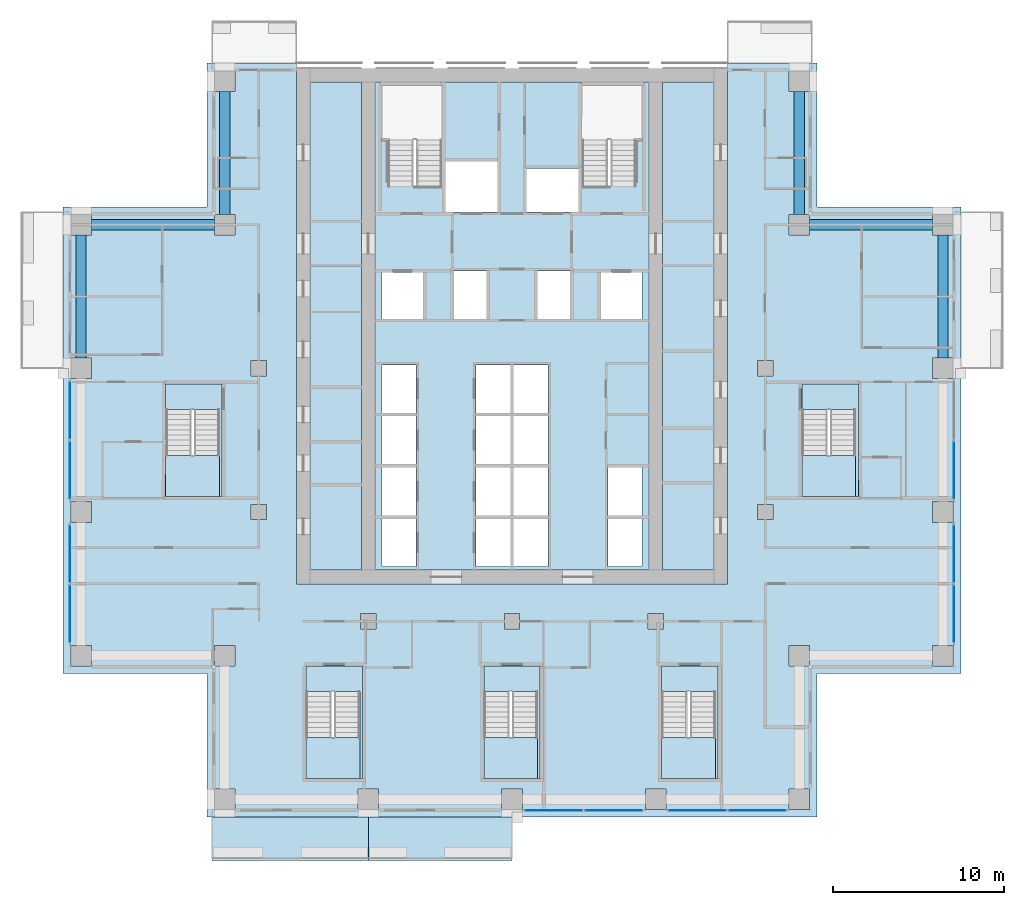
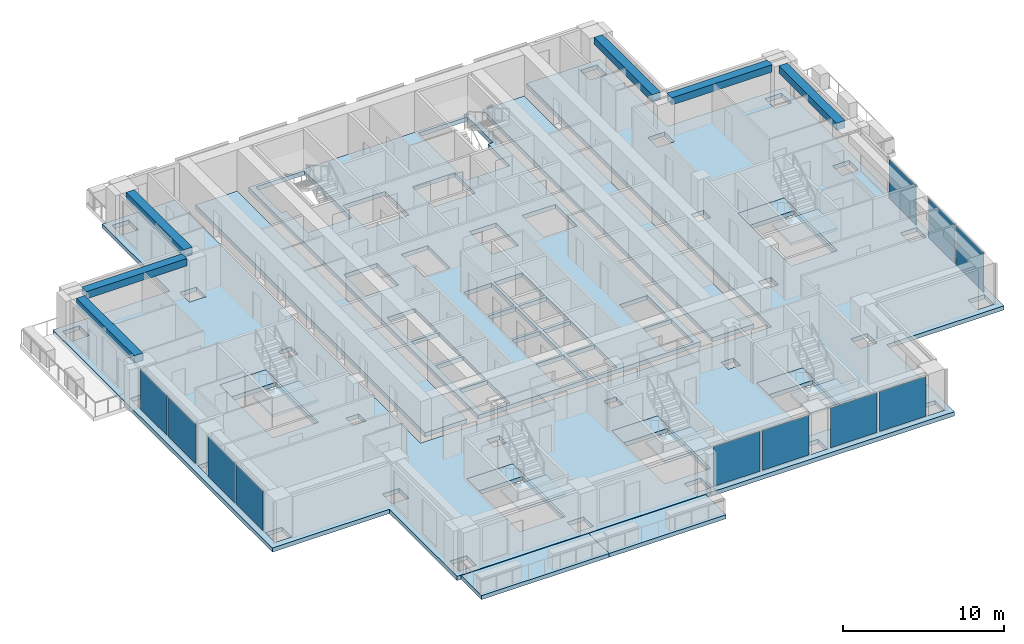
# One storey, part 5 of 16: 16 slabs, 11 plates, 6 beams, 11 elements without a shape of their own.
"""IFC4 building model written with IfcOpenShell, lengths in metres."""

from ifc_helpers import new_model, si_unit, direction, frame, origin, origin_2d, place, context, subcontext, project, spatial, polyline, rectangle, outline, extrude, material, layer, layer_set, material_profile, profile_set, type_object, element, aggregate, save


model = new_model("IFC4")

# Units and contexts
model_context = context("Model", 3, precision=1e-05, world=origin(), true_north=direction((0.0, 1.0)))
body_context = subcontext(model_context, "Body", "Model", "MODEL_VIEW")
ifc_project = project(units=[si_unit("LENGTHUNIT", "METRE"), si_unit("AREAUNIT", "SQUARE_METRE"), si_unit("VOLUMEUNIT", "CUBIC_METRE"), si_unit("PLANEANGLEUNIT", "RADIAN"), si_unit("MASSUNIT", "GRAM", prefix="KILO")], contexts=[model_context])

# Site, building, storey
site_placement = place(None, origin())
site = spatial("IfcSite", under=ifc_project, at=site_placement, CompositionType="ELEMENT")
building_placement = place(site_placement, origin())
building = spatial("IfcBuilding", under=site, at=building_placement, Name="Vermilion Ogive Tower", CompositionType="ELEMENT")
storey_placement = place(building_placement, frame((0.0, 0.0, 114.89990234375)))
storey = spatial("IfcBuildingStorey", under=building, at=storey_placement, Name="L29", CompositionType="ELEMENT", Elevation=114.89990234375)

# Beams
ifc_material_1 = material(Name="Concrete B45", Category="concrete")
ifc_material_profile = material_profile(ifc_material_1, rectangle(XDim=0.60009765625, YDim=0.550048828125, at=origin_2d()), Name="600 x 550")
ifc_profile_set = profile_set([ifc_material_profile], Name="Concrete B45")
beam_type = type_object("IfcBeamType", Name="Edge beam 600 x 550 B45", PredefinedType="BEAM", material=ifc_profile_set)
beam_1_placement = place(storey_placement, frame((25.199951171875, 4.800048828125, 2.85498046875), z_axis=(0.0, 1.0, 0.0), x_axis=(-1.0, 0.0, 0.0)))
element("IfcBeam", 1, at=beam_1_placement, inside=storey, type_object=beam_type, Name="L29-EB-9", PredefinedType="BEAM", context=body_context, shape_type="SweptSolid", body=[
    extrude(rectangle(XDim=0.60009765625, YDim=0.550048828125, at=origin_2d()), origin(), (0.0, 0.0, 1.0), 7.199951171875),
])
beam_2_placement = place(storey_placement, frame((24.60009765625, 12.60009765625, 2.85498046875), z_axis=(-1.0, 0.0, 0.0), x_axis=(0.0, -1.0, 0.0)))
element("IfcBeam", 2, at=beam_2_placement, inside=storey, type_object=beam_type, Name="L29-EB-10", PredefinedType="BEAM", context=body_context, shape_type="SweptSolid", body=[
    extrude(rectangle(XDim=0.60009765625, YDim=0.550048828125, at=origin_2d()), origin(), (0.0, 0.0, 1.0), 7.2001953125),
])
for number, where, z_axis, x_axis, name in (
    (3, (16.800048828125, 13.199951171875, 2.85498046875), (0.0, 1.0, 0.0), (-1.0, 0.0, 0.0), "L29-EB-11"),
    (4, (-16.800048828125, 20.39990234375, 2.85498046875), (0.0, -1.0, 0.0), (1.0, 0.0, 0.0), "L29-EB-12"),
):
    element("IfcBeam", number, at=place(storey_placement, frame(where, z_axis=z_axis, x_axis=x_axis)), inside=storey, type_object=beam_type, Name=name, PredefinedType="BEAM", context=body_context, shape_type="SweptSolid", body=[
        extrude(rectangle(XDim=0.60009765625, YDim=0.550048828125, at=origin_2d()), origin(), (0.0, 0.0, 1.0), 7.199951171875),
    ])
beam_3_placement = place(storey_placement, frame((-17.39990234375, 12.60009765625, 2.85498046875), z_axis=(-1.0, 0.0, 0.0), x_axis=(0.0, -1.0, 0.0)))
element("IfcBeam", 5, at=beam_3_placement, inside=storey, type_object=beam_type, Name="L29-EB-13", PredefinedType="BEAM", context=body_context, shape_type="SweptSolid", body=[
    extrude(rectangle(XDim=0.60009765625, YDim=0.550048828125, at=origin_2d()), origin(), (0.0, 0.0, 1.0), 7.2001953125),
])
beam_4_placement = place(storey_placement, frame((-25.199951171875, 12.0, 2.85498046875), z_axis=(0.0, -1.0, 0.0), x_axis=(1.0, 0.0, 0.0)))
element("IfcBeam", 6, at=beam_4_placement, inside=storey, type_object=beam_type, Name="L29-EB-14", PredefinedType="BEAM", context=body_context, shape_type="SweptSolid", body=[
    extrude(rectangle(XDim=0.60009765625, YDim=0.550048828125, at=origin_2d()), origin(), (0.0, 0.0, 1.0), 7.199951171875),
])

# Slabs
ifc_material_2 = material(Name="Concrete B40", Category="concrete")
ifc_layer_1 = layer(ifc_material_2, 0.300048828125)
ifc_layer_set_1 = layer_set([ifc_layer_1], Name="Balcony slab")
slab_type_1 = type_object("IfcSlabType", Name="Balcony slab", PredefinedType="FLOOR", material=ifc_layer_set_1)
slab_1_placement = place(storey_placement, frame((0.0, 0.0, -0.33984375)))
element("IfcSlab", 7, at=slab_1_placement, inside=storey, type_object=slab_type_1, Name="Balcony slab S01", PredefinedType="FLOOR", context=body_context, shape_type="SweptSolid", body=[
    extrude(outline(polyline([(-17.550048828125, -24.573974609375), (-8.39990234375, -24.573974609375), (-8.39990234375, -22.050048828125), (-17.550048828125, -22.050048828125), (-17.550048828125, -24.573974609375)])), origin(), (0.0, 0.0, 1.0), 0.300048828125),
])
slab_2_placement = place(storey_placement, frame((0.0, 0.0, -0.33984375)))
element("IfcSlab", 8, at=slab_2_placement, inside=storey, type_object=slab_type_1, Name="Balcony slab S02", PredefinedType="FLOOR", context=body_context, shape_type="SweptSolid", body=[
    extrude(outline(polyline([(-8.39990234375, -24.573974609375), (0.0, -24.573974609375), (0.0, -22.050048828125), (-8.39990234375, -22.050048828125), (-8.39990234375, -24.573974609375)])), origin(), (0.0, 0.0, 1.0), 0.300048828125),
])

# Curtain wall, plates
ifc_material_3 = material(Name="Low-iron laminated glazing in aluminium frame", Category="aluminium")
curtain_wall_type = type_object("IfcCurtainWallType", Name="Curtain wall CW7", PredefinedType="NOTDEFINED", material=ifc_material_3)
curtain_wall_1_placement = place(storey_placement, origin())
curtain_wall_1 = element("IfcCurtainWall", 9, at=curtain_wall_1_placement, inside=storey, type_object=curtain_wall_type, Name="Glazed skin S3", PredefinedType="NOTDEFINED")
ifc_material_4 = material(Name="Low-iron laminated glazing in aluminium frame", Category="aluminium")
ifc_layer_2 = layer(ifc_material_4, 0.031982421875)
ifc_layer_set_2 = layer_set([ifc_layer_2], Name="CW7 glazing panel 32")
plate_type = type_object("IfcPlateType", Name="CW7 glazing panel 32", PredefinedType="CURTAIN_PANEL", material=ifc_layer_set_2)
plate_1_placement = place(storey_placement, frame((2.445068359375, -21.64990234375, 0.06005859375), z_axis=(0.0, 0.0, 1.0), x_axis=(1.0, 0.0, 0.0)))
plate_1 = element("IfcPlate", 10, at=plate_1_placement, type_object=plate_type, Name="CW7-S3 panel 1.1", PredefinedType="CURTAIN_PANEL", context=body_context, shape_type="SweptSolid", body=[
    extrude(rectangle(XDim=3.330078125, YDim=0.031982421875, at=origin_2d()), origin(), (0.0, 0.0, 1.0), 3.010009765625),
])
plate_2_placement = place(storey_placement, frame((5.955078125, -21.64990234375, 0.06005859375), z_axis=(0.0, 0.0, 1.0), x_axis=(1.0, 0.0, 0.0)))
plate_2 = element("IfcPlate", 11, at=plate_2_placement, type_object=plate_type, Name="CW7-S3 panel 2.1", PredefinedType="CURTAIN_PANEL", context=body_context, shape_type="SweptSolid", body=[
    extrude(rectangle(XDim=3.330078125, YDim=0.031982421875, at=origin_2d()), origin(), (0.0, 0.0, 1.0), 3.010009765625),
])
aggregate(curtain_wall_1, [plate_1, plate_2])

curtain_wall_2_placement = place(storey_placement, origin())
curtain_wall_2 = element("IfcCurtainWall", 12, at=curtain_wall_2_placement, inside=storey, type_object=curtain_wall_type, Name="Glazed skin S4", PredefinedType="NOTDEFINED")
plate_3_placement = place(storey_placement, frame((10.844970703125, -21.64990234375, 0.06005859375), z_axis=(0.0, 0.0, 1.0), x_axis=(1.0, 0.0, 0.0)))
plate_3 = element("IfcPlate", 13, at=plate_3_placement, type_object=plate_type, Name="CW7-S4 panel 1.1", PredefinedType="CURTAIN_PANEL", context=body_context, shape_type="SweptSolid", body=[
    extrude(rectangle(XDim=3.330078125, YDim=0.031982421875, at=origin_2d()), origin(), (0.0, 0.0, 1.0), 3.010009765625),
])
plate_4_placement = place(storey_placement, frame((14.35498046875, -21.64990234375, 0.06005859375), z_axis=(0.0, 0.0, 1.0), x_axis=(1.0, 0.0, 0.0)))
plate_4 = element("IfcPlate", 14, at=plate_4_placement, type_object=plate_type, Name="CW7-S4 panel 2.1", PredefinedType="CURTAIN_PANEL", context=body_context, shape_type="SweptSolid", body=[
    extrude(rectangle(XDim=3.330078125, YDim=0.031982421875, at=origin_2d()), origin(), (0.0, 0.0, 1.0), 3.010009765625),
])
aggregate(curtain_wall_2, [plate_3, plate_4])

curtain_wall_3_placement = place(storey_placement, origin())
curtain_wall_3 = element("IfcCurtainWall", 15, at=curtain_wall_3_placement, inside=storey, type_object=curtain_wall_type, Name="Glazed skin E1", PredefinedType="NOTDEFINED")
plate_5_placement = place(storey_placement, frame((25.85009765625, -10.155029296875, 0.06005859375), z_axis=(0.0, 0.0, 1.0), x_axis=(0.0, 1.0, 0.0)))
plate_5 = element("IfcPlate", 16, at=plate_5_placement, type_object=plate_type, Name="CW7-E1 panel 1.1", PredefinedType="CURTAIN_PANEL", context=body_context, shape_type="SweptSolid", body=[
    extrude(rectangle(XDim=3.330078125, YDim=0.031982421875, at=origin_2d()), origin(), (0.0, 0.0, 1.0), 3.010009765625),
])
plate_6_placement = place(storey_placement, frame((25.85009765625, -6.64501953125, 0.06005859375), z_axis=(0.0, 0.0, 1.0), x_axis=(0.0, 1.0, 0.0)))
plate_6 = element("IfcPlate", 17, at=plate_6_placement, type_object=plate_type, Name="CW7-E1 panel 2.1", PredefinedType="CURTAIN_PANEL", context=body_context, shape_type="SweptSolid", body=[
    extrude(rectangle(XDim=3.330078125, YDim=0.031982421875, at=origin_2d()), origin(), (0.0, 0.0, 1.0), 3.010009765625),
])
aggregate(curtain_wall_3, [plate_5, plate_6])

# Curtain wall, plate
curtain_wall_4_placement = place(storey_placement, origin())
curtain_wall_4 = element("IfcCurtainWall", 18, at=curtain_wall_4_placement, inside=storey, type_object=curtain_wall_type, Name="Glazed skin E2", PredefinedType="NOTDEFINED")
plate_7_placement = place(storey_placement, frame((25.85009765625, -1.7548828125, 0.06005859375), z_axis=(0.0, 0.0, 1.0), x_axis=(0.0, 1.0, 0.0)))
plate_7 = element("IfcPlate", 19, at=plate_7_placement, type_object=plate_type, Name="CW7-E2 panel 1.1", PredefinedType="CURTAIN_PANEL", context=body_context, shape_type="SweptSolid", body=[
    extrude(rectangle(XDim=3.330078125, YDim=0.031982421875, at=origin_2d()), origin(), (0.0, 0.0, 1.0), 3.010009765625),
])
aggregate(curtain_wall_4, [plate_7])

# Curtain wall, plates
curtain_wall_5_placement = place(storey_placement, origin())
curtain_wall_5 = element("IfcCurtainWall", 20, at=curtain_wall_5_placement, inside=storey, type_object=curtain_wall_type, Name="Glazed skin W2", PredefinedType="NOTDEFINED")
plate_8_placement = place(storey_placement, frame((-25.85009765625, 1.7548828125, 0.06005859375), z_axis=(0.0, 0.0, 1.0), x_axis=(0.0, -1.0, 0.0)))
plate_8 = element("IfcPlate", 21, at=plate_8_placement, type_object=plate_type, Name="CW7-W2 panel 1.1", PredefinedType="CURTAIN_PANEL", context=body_context, shape_type="SweptSolid", body=[
    extrude(rectangle(XDim=3.330078125, YDim=0.031982421875, at=origin_2d()), origin(), (0.0, 0.0, 1.0), 3.010009765625),
])
plate_9_placement = place(storey_placement, frame((-25.85009765625, -1.7548828125, 0.06005859375), z_axis=(0.0, 0.0, 1.0), x_axis=(0.0, -1.0, 0.0)))
plate_9 = element("IfcPlate", 22, at=plate_9_placement, type_object=plate_type, Name="CW7-W2 panel 2.1", PredefinedType="CURTAIN_PANEL", context=body_context, shape_type="SweptSolid", body=[
    extrude(rectangle(XDim=3.330078125, YDim=0.031982421875, at=origin_2d()), origin(), (0.0, 0.0, 1.0), 3.010009765625),
])
aggregate(curtain_wall_5, [plate_8, plate_9])

curtain_wall_6_placement = place(storey_placement, origin())
curtain_wall_6 = element("IfcCurtainWall", 23, at=curtain_wall_6_placement, inside=storey, type_object=curtain_wall_type, Name="Glazed skin W3", PredefinedType="NOTDEFINED")
plate_10_placement = place(storey_placement, frame((-25.85009765625, -6.64501953125, 0.06005859375), z_axis=(0.0, 0.0, 1.0), x_axis=(0.0, -1.0, 0.0)))
plate_10 = element("IfcPlate", 24, at=plate_10_placement, type_object=plate_type, Name="CW7-W3 panel 1.1", PredefinedType="CURTAIN_PANEL", context=body_context, shape_type="SweptSolid", body=[
    extrude(rectangle(XDim=3.330078125, YDim=0.031982421875, at=origin_2d()), origin(), (0.0, 0.0, 1.0), 3.010009765625),
])
plate_11_placement = place(storey_placement, frame((-25.85009765625, -10.155029296875, 0.06005859375), z_axis=(0.0, 0.0, 1.0), x_axis=(0.0, -1.0, 0.0)))
plate_11 = element("IfcPlate", 25, at=plate_11_placement, type_object=plate_type, Name="CW7-W3 panel 2.1", PredefinedType="CURTAIN_PANEL", context=body_context, shape_type="SweptSolid", body=[
    extrude(rectangle(XDim=3.330078125, YDim=0.031982421875, at=origin_2d()), origin(), (0.0, 0.0, 1.0), 3.010009765625),
])
aggregate(curtain_wall_6, [plate_10, plate_11])

# Slabs
ifc_material_5 = material(Name="Concrete B40", Category="concrete")
ifc_layer_3 = layer(ifc_material_5, 0.320068359375)
ifc_layer_set_3 = layer_set([ifc_layer_3], Name="Core floor slab 320 B40")
slab_type_2 = type_object("IfcSlabType", Name="Core floor slab 320 B40", PredefinedType="FLOOR", material=ifc_layer_set_3)
slab_3_placement = place(storey_placement, frame((0.0, 0.0, -0.31982421875)))
element("IfcSlab", 26, at=slab_3_placement, inside=storey, type_object=slab_type_2, Name="L29-CK-FS1", PredefinedType="FLOOR", context=body_context, shape_type="SweptSolid", body=[
    extrude(outline(polyline([(-8.803955078125, 20.946044921875), (-8.803955078125, -7.595947265625), (-11.7958984375, -7.595947265625), (-11.7958984375, 20.946044921875), (-8.803955078125, 20.946044921875)])), origin(), (0.0, 0.0, 1.0), 0.31982421875),
])
slab_4_placement = place(storey_placement, frame((0.0, 0.0, -0.31982421875)))
element("IfcSlab", 27, at=slab_4_placement, inside=storey, type_object=slab_type_2, Name="L29-CK-FS2", PredefinedType="FLOOR", context=body_context, shape_type="SweptSolid", body=[
    extrude(outline(polyline([(-7.99609375, 20.946044921875), (-7.99609375, -7.595947265625), (7.99609375, -7.595947265625), (7.99609375, 20.946044921875), (-7.99609375, 20.946044921875)]), holes=[polyline([(-7.60009765625, -4.60009765625), (-5.60009765625, -4.60009765625), (-5.60009765625, -7.39990234375), (-7.60009765625, -7.39990234375), (-7.60009765625, -4.60009765625)]), polyline([(-2.10009765625, -4.60009765625), (-0.10009765625, -4.60009765625), (-0.10009765625, -7.39990234375), (-2.10009765625, -7.39990234375), (-2.10009765625, -4.60009765625)]), polyline([(-7.60009765625, -4.39990234375), (-7.60009765625, -1.60009765625), (-5.60009765625, -1.60009765625), (-5.60009765625, -4.39990234375), (-7.60009765625, -4.39990234375)]), polyline([(-2.10009765625, -1.60009765625), (-0.10009765625, -1.60009765625), (-0.10009765625, -4.39990234375), (-2.10009765625, -4.39990234375), (-2.10009765625, -1.60009765625)]), polyline([(-7.60009765625, -1.39990234375), (-7.60009765625, 1.39990234375), (-5.60009765625, 1.39990234375), (-5.60009765625, -1.39990234375), (-7.60009765625, -1.39990234375)]), polyline([(-2.10009765625, 1.39990234375), (-0.10009765625, 1.39990234375), (-0.10009765625, -1.39990234375), (-2.10009765625, -1.39990234375), (-2.10009765625, 1.39990234375)]), polyline([(-7.60009765625, 4.39990234375), (-5.60009765625, 4.39990234375), (-5.60009765625, 1.60009765625), (-7.60009765625, 1.60009765625), (-7.60009765625, 4.39990234375)]), polyline([(-2.10009765625, 4.39990234375), (-0.10009765625, 4.39990234375), (-0.10009765625, 1.60009765625), (-2.10009765625, 1.60009765625), (-2.10009765625, 4.39990234375)]), polyline([(-7.60009765625, 9.800048828125), (-5.199951171875, 9.800048828125), (-5.199951171875, 7.10009765625), (-7.60009765625, 7.10009765625), (-7.60009765625, 9.800048828125)]), polyline([(-3.39990234375, 9.89990234375), (-1.5, 9.89990234375), (-1.5, 7.10009765625), (-3.39990234375, 7.10009765625), (-3.39990234375, 9.89990234375)]), polyline([(-3.89990234375, 16.300048828125), (-0.85009765625, 16.300048828125), (-0.85009765625, 13.35009765625), (-3.89990234375, 13.35009765625), (-3.89990234375, 16.300048828125)]), polyline([(-7.60009765625, 17.550048828125), (-7.60009765625, 20.75), (-4.10009765625, 20.75), (-4.10009765625, 14.85205078125), (-5.60009765625, 14.85205078125), (-5.60009765625, 14.85009765625), (-5.75, 14.85009765625), (-5.75, 14.85205078125), (-7.25, 14.85205078125), (-7.25, 17.550048828125), (-7.60009765625, 17.550048828125)]), polyline([(0.10009765625, -4.60009765625), (2.10009765625, -4.60009765625), (2.10009765625, -7.39990234375), (0.10009765625, -7.39990234375), (0.10009765625, -4.60009765625)]), polyline([(5.60009765625, -4.60009765625), (7.60009765625, -4.60009765625), (7.60009765625, -7.39990234375), (5.60009765625, -7.39990234375), (5.60009765625, -4.60009765625)]), polyline([(0.10009765625, -1.60009765625), (2.10009765625, -1.60009765625), (2.10009765625, -4.39990234375), (0.10009765625, -4.39990234375), (0.10009765625, -1.60009765625)]), polyline([(5.60009765625, -1.60009765625), (7.60009765625, -1.60009765625), (7.60009765625, -4.39990234375), (5.60009765625, -4.39990234375), (5.60009765625, -1.60009765625)]), polyline([(0.10009765625, 1.39990234375), (2.10009765625, 1.39990234375), (2.10009765625, -1.39990234375), (0.10009765625, -1.39990234375), (0.10009765625, 1.39990234375)]), polyline([(0.10009765625, 4.39990234375), (2.10009765625, 4.39990234375), (2.10009765625, 1.60009765625), (0.10009765625, 1.60009765625), (0.10009765625, 4.39990234375)]), polyline([(5.199951171875, 9.800048828125), (7.60009765625, 9.800048828125), (7.60009765625, 7.10009765625), (5.199951171875, 7.10009765625), (5.199951171875, 9.800048828125)]), polyline([(1.5, 9.89990234375), (3.39990234375, 9.89990234375), (3.39990234375, 7.10009765625), (1.5, 7.10009765625), (1.5, 9.89990234375)]), polyline([(0.85009765625, 15.89990234375), (3.89990234375, 15.89990234375), (3.89990234375, 13.35009765625), (0.85009765625, 13.35009765625), (0.85009765625, 15.89990234375)]), polyline([(5.75, 14.85009765625), (5.60009765625, 14.85009765625), (5.60009765625, 14.85205078125), (4.10009765625, 14.85205078125), (4.10009765625, 17.550048828125), (4.074951171875, 17.550048828125), (4.074951171875, 20.75), (7.60009765625, 20.75), (7.60009765625, 17.550048828125), (7.25, 17.550048828125), (7.25, 14.85205078125), (5.75, 14.85205078125), (5.75, 14.85009765625)])]), origin(), (0.0, 0.0, 1.0), 0.31982421875),
])
slab_5_placement = place(storey_placement, frame((0.0, 0.0, -0.31982421875)))
element("IfcSlab", 28, at=slab_5_placement, inside=storey, type_object=slab_type_2, Name="L29-CK-FS3", PredefinedType="FLOOR", context=body_context, shape_type="SweptSolid", body=[
    extrude(outline(polyline([(11.7958984375, -7.595947265625), (8.803955078125, -7.595947265625), (8.803955078125, 20.946044921875), (11.7958984375, 20.946044921875), (11.7958984375, -7.595947265625)])), origin(), (0.0, 0.0, 1.0), 0.31982421875),
])
slab_6_placement = place(storey_placement, frame((0.0, 0.0, -0.31982421875)))
element("IfcSlab", 29, at=slab_6_placement, inside=storey, type_object=slab_type_2, Name="L29-SF-ST3-1", PredefinedType="FLOOR", context=body_context, shape_type="SweptSolid", body=[
    extrude(outline(polyline([(-12.050048828125, -13.199951171875), (-12.050048828125, -14.701904296875), (-10.550048828125, -14.701904296875), (-10.550048828125, -14.699951171875), (-10.39990234375, -14.699951171875), (-10.39990234375, -14.701904296875), (-8.89990234375, -14.701904296875), (-8.89990234375, -19.800048828125), (-8.75, -19.800048828125), (-8.75, -13.199951171875), (-12.050048828125, -13.199951171875)])), origin(), (0.0, 0.0, 1.0), 0.31982421875),
])
slab_7_placement = place(storey_placement, frame((0.0, 0.0, -0.31982421875)))
element("IfcSlab", 30, at=slab_7_placement, inside=storey, type_object=slab_type_2, Name="L29-SF-ST4-1", PredefinedType="FLOOR", context=body_context, shape_type="SweptSolid", body=[
    extrude(outline(polyline([(-1.64990234375, -13.199951171875), (-1.64990234375, -14.701904296875), (-0.14990234375, -14.701904296875), (-0.14990234375, -14.699951171875), (0.0, -14.699951171875), (0.0, -14.701904296875), (1.5, -14.701904296875), (1.5, -19.800048828125), (1.64990234375, -19.800048828125), (1.64990234375, -13.199951171875), (-1.64990234375, -13.199951171875)])), origin(), (0.0, 0.0, 1.0), 0.31982421875),
])
slab_8_placement = place(storey_placement, frame((0.0, 0.0, -0.31982421875)))
element("IfcSlab", 31, at=slab_8_placement, inside=storey, type_object=slab_type_2, Name="L29-SF-ST5-1", PredefinedType="FLOOR", context=body_context, shape_type="SweptSolid", body=[
    extrude(outline(polyline([(8.75, -13.199951171875), (8.75, -14.701904296875), (10.25, -14.701904296875), (10.25, -14.699951171875), (10.39990234375, -14.699951171875), (10.39990234375, -14.701904296875), (11.89990234375, -14.701904296875), (11.89990234375, -19.800048828125), (12.050048828125, -19.800048828125), (12.050048828125, -13.199951171875), (8.75, -13.199951171875)])), origin(), (0.0, 0.0, 1.0), 0.31982421875),
])
slab_9_placement = place(storey_placement, frame((0.0, 0.0, -0.31982421875)))
element("IfcSlab", 32, at=slab_9_placement, inside=storey, type_object=slab_type_2, Name="L29-SF-ST8-1", PredefinedType="FLOOR", context=body_context, shape_type="SweptSolid", body=[
    extrude(outline(polyline([(16.949951171875, 3.300048828125), (16.949951171875, 1.798095703125), (18.449951171875, 1.798095703125), (18.449951171875, 1.800048828125), (18.60009765625, 1.800048828125), (18.60009765625, 1.798095703125), (20.10009765625, 1.798095703125), (20.10009765625, -3.300048828125), (20.25, -3.300048828125), (20.25, 3.300048828125), (16.949951171875, 3.300048828125)])), origin(), (0.0, 0.0, 1.0), 0.31982421875),
])
slab_10_placement = place(storey_placement, frame((0.0, 0.0, -0.31982421875)))
element("IfcSlab", 33, at=slab_10_placement, inside=storey, type_object=slab_type_2, Name="L29-SF-ST9-1", PredefinedType="FLOOR", context=body_context, shape_type="SweptSolid", body=[
    extrude(outline(polyline([(-20.25, 3.300048828125), (-20.25, 1.798095703125), (-18.75, 1.798095703125), (-18.75, 1.800048828125), (-18.60009765625, 1.800048828125), (-18.60009765625, 1.798095703125), (-17.10009765625, 1.798095703125), (-17.10009765625, -3.300048828125), (-16.949951171875, -3.300048828125), (-16.949951171875, 3.300048828125), (-20.25, 3.300048828125)])), origin(), (0.0, 0.0, 1.0), 0.31982421875),
])
ifc_material_6 = material(Name="Concrete B45", Category="concrete")
ifc_layer_4 = layer(ifc_material_6, 0.320068359375)
ifc_layer_set_4 = layer_set([ifc_layer_4], Name="Post-tensioned flat plate 320 B45")
slab_type_3 = type_object("IfcSlabType", Name="Post-tensioned flat plate 320 B45", PredefinedType="FLOOR", material=ifc_layer_set_4)
slab_11_placement = place(storey_placement, frame((0.0, 0.0, -0.31982421875)))
element("IfcSlab", 34, at=slab_11_placement, inside=storey, type_object=slab_type_3, Name="L29-SL-1", PredefinedType="FLOOR", context=body_context, shape_type="SweptSolid", body=[
    extrude(outline(polyline([(-26.25, 13.64990234375), (-26.25, -13.64990234375), (-17.85009765625, -13.64990234375), (-17.85009765625, -22.050048828125), (17.85009765625, -22.050048828125), (17.85009765625, -13.64990234375), (26.25, -13.64990234375), (26.25, 13.64990234375), (17.85009765625, 13.64990234375), (17.85009765625, 22.050048828125), (12.60009765625, 22.050048828125), (12.60009765625, -8.39990234375), (-12.60009765625, -8.39990234375), (-12.60009765625, 22.050048828125), (-17.85009765625, 22.050048828125), (-17.85009765625, 13.64990234375), (-26.25, 13.64990234375)]), holes=[polyline([(24.60009765625, -3.60009765625), (25.800048828125, -3.60009765625), (25.800048828125, -4.800048828125), (24.60009765625, -4.800048828125), (24.60009765625, -3.60009765625)]), polyline([(24.60009765625, -12.0), (25.800048828125, -12.0), (25.800048828125, -13.199951171875), (24.60009765625, -13.199951171875), (24.60009765625, -12.0)]), polyline([(25.800048828125, 13.199951171875), (25.800048828125, 12.0), (24.60009765625, 12.0), (24.60009765625, 13.199951171875), (25.800048828125, 13.199951171875)]), polyline([(25.800048828125, 4.800048828125), (25.800048828125, 3.60009765625), (24.60009765625, 3.60009765625), (24.60009765625, 4.800048828125), (25.800048828125, 4.800048828125)]), polyline([(20.275146484375, -3.2998046875), (20.25, -3.2998046875), (20.25, -3.300048828125), (16.949951171875, -3.300048828125), (16.949951171875, 3.300048828125), (20.25, 3.300048828125), (20.25, -0.89990234375), (20.275146484375, -0.89990234375), (20.275146484375, -3.2998046875)]), polyline([(16.199951171875, -12.0), (17.39990234375, -12.0), (17.39990234375, -13.199951171875), (16.199951171875, -13.199951171875), (16.199951171875, -12.0)]), polyline([(17.39990234375, 21.60009765625), (17.39990234375, 20.39990234375), (16.199951171875, 20.39990234375), (16.199951171875, 21.60009765625), (17.39990234375, 21.60009765625)]), polyline([(16.199951171875, -20.39990234375), (17.39990234375, -20.39990234375), (17.39990234375, -21.60009765625), (16.199951171875, -21.60009765625), (16.199951171875, -20.39990234375)]), polyline([(16.199951171875, 13.199951171875), (17.39990234375, 13.199951171875), (17.39990234375, 12.0), (16.199951171875, 12.0), (16.199951171875, 13.199951171875)]), polyline([(14.35009765625, 4.64990234375), (15.25, 4.64990234375), (15.25, 3.75), (14.35009765625, 3.75), (14.35009765625, 4.64990234375)]), polyline([(15.25, -3.75), (15.25, -4.64990234375), (14.35009765625, -4.64990234375), (14.35009765625, -3.75), (15.25, -3.75)]), polyline([(8.75, -13.199951171875), (12.050048828125, -13.199951171875), (12.050048828125, -19.800048828125), (8.75, -19.800048828125), (8.75, -13.199951171875)]), polyline([(7.800048828125, -20.39990234375), (9.0, -20.39990234375), (9.0, -21.60009765625), (7.800048828125, -21.60009765625), (7.800048828125, -20.39990234375)]), polyline([(8.85009765625, -10.14990234375), (8.85009765625, -11.050048828125), (7.949951171875, -11.050048828125), (7.949951171875, -10.14990234375), (8.85009765625, -10.14990234375)]), polyline([(-1.64990234375, -13.199951171875), (1.64990234375, -13.199951171875), (1.64990234375, -19.800048828125), (-1.64990234375, -19.800048828125), (-1.64990234375, -13.199951171875)]), polyline([(-0.60009765625, -20.39990234375), (0.60009765625, -20.39990234375), (0.60009765625, -21.60009765625), (-0.60009765625, -21.60009765625), (-0.60009765625, -20.39990234375)]), polyline([(-0.449951171875, -10.14990234375), (0.449951171875, -10.14990234375), (0.449951171875, -11.050048828125), (-0.449951171875, -11.050048828125), (-0.449951171875, -10.14990234375)]), polyline([(-9.0, -20.39990234375), (-7.800048828125, -20.39990234375), (-7.800048828125, -21.60009765625), (-9.0, -21.60009765625), (-9.0, -20.39990234375)]), polyline([(-8.85009765625, -10.14990234375), (-7.949951171875, -10.14990234375), (-7.949951171875, -11.050048828125), (-8.85009765625, -11.050048828125), (-8.85009765625, -10.14990234375)]), polyline([(-12.050048828125, -13.199951171875), (-8.75, -13.199951171875), (-8.75, -19.800048828125), (-12.050048828125, -19.800048828125), (-12.050048828125, -13.199951171875)]), polyline([(-15.25, 4.64990234375), (-14.35009765625, 4.64990234375), (-14.35009765625, 3.75), (-15.25, 3.75), (-15.25, 4.64990234375)]), polyline([(-14.35009765625, -3.75), (-14.35009765625, -4.64990234375), (-15.25, -4.64990234375), (-15.25, -3.75), (-14.35009765625, -3.75)]), polyline([(-17.39990234375, 13.199951171875), (-16.199951171875, 13.199951171875), (-16.199951171875, 12.0), (-17.39990234375, 12.0), (-17.39990234375, 13.199951171875)]), polyline([(-17.39990234375, -12.0), (-16.199951171875, -12.0), (-16.199951171875, -13.199951171875), (-17.39990234375, -13.199951171875), (-17.39990234375, -12.0)]), polyline([(-17.39990234375, -20.39990234375), (-16.199951171875, -20.39990234375), (-16.199951171875, -21.60009765625), (-17.39990234375, -21.60009765625), (-17.39990234375, -20.39990234375)]), polyline([(-16.199951171875, 21.60009765625), (-16.199951171875, 20.39990234375), (-17.39990234375, 20.39990234375), (-17.39990234375, 21.60009765625), (-16.199951171875, 21.60009765625)]), polyline([(-20.25, -3.300048828125), (-20.25, -3.2998046875), (-20.275146484375, -3.2998046875), (-20.275146484375, -0.89990234375), (-20.25, -0.89990234375), (-20.25, 3.300048828125), (-16.949951171875, 3.300048828125), (-16.949951171875, -3.300048828125), (-20.25, -3.300048828125)]), polyline([(-24.60009765625, 4.800048828125), (-24.60009765625, 3.60009765625), (-25.800048828125, 3.60009765625), (-25.800048828125, 4.800048828125), (-24.60009765625, 4.800048828125)]), polyline([(-25.800048828125, 13.199951171875), (-24.60009765625, 13.199951171875), (-24.60009765625, 12.0), (-25.800048828125, 12.0), (-25.800048828125, 13.199951171875)]), polyline([(-25.800048828125, -3.60009765625), (-24.60009765625, -3.60009765625), (-24.60009765625, -4.800048828125), (-25.800048828125, -4.800048828125), (-25.800048828125, -3.60009765625)]), polyline([(-25.800048828125, -12.0), (-24.60009765625, -12.0), (-24.60009765625, -13.199951171875), (-25.800048828125, -13.199951171875), (-25.800048828125, -12.0)])]), origin(), (0.0, 0.0, 1.0), 0.31982421875),
])

# Stair, slab
ifc_material_7 = material(Name="Concrete B40", Category="concrete")
stair_type = type_object("IfcStairType", Name="Exit stair 1500", PredefinedType="HALF_TURN_STAIR", material=ifc_material_7)
stair_1_placement = place(storey_placement, origin())
stair_1 = element("IfcStair", 35, at=stair_1_placement, inside=storey, type_object=stair_type, Name="L29 Exit Stair ST3", PredefinedType="HALF_TURN_STAIR")
ifc_material_8 = material(Name="Concrete B40", Category="concrete")
ifc_layer_5 = layer(ifc_material_8, 0.199951171875)
ifc_layer_set_5 = layer_set([ifc_layer_5], Name="Stair landing 200")
slab_type_4 = type_object("IfcSlabType", Name="Stair landing 200", PredefinedType="LANDING", material=ifc_layer_set_5)
slab_12_placement = place(storey_placement, frame((0.0, 0.0, 1.525146484375)))
slab_12 = element("IfcSlab", 36, at=slab_12_placement, type_object=slab_type_4, Name="ST3 landing 1", PredefinedType="LANDING", context=body_context, shape_type="SweptSolid", body=[
    extrude(outline(polyline([(-8.75, -17.39990234375), (-8.89990234375, -17.39990234375), (-8.89990234375, -17.39794921875), (-10.39990234375, -17.39794921875), (-10.39990234375, -17.39990234375), (-10.550048828125, -17.39990234375), (-10.550048828125, -17.39794921875), (-12.050048828125, -17.39794921875), (-12.050048828125, -19.800048828125), (-8.75, -19.800048828125), (-8.75, -17.39990234375)])), origin(), (0.0, 0.0, 1.0), 0.199951171875),
])
aggregate(stair_1, [slab_12])

stair_2_placement = place(storey_placement, origin())
stair_2 = element("IfcStair", 37, at=stair_2_placement, inside=storey, type_object=stair_type, Name="L29 Exit Stair ST4", PredefinedType="HALF_TURN_STAIR")
slab_13_placement = place(storey_placement, frame((0.0, 0.0, 1.525146484375)))
slab_13 = element("IfcSlab", 38, at=slab_13_placement, type_object=slab_type_4, Name="ST4 landing 1", PredefinedType="LANDING", context=body_context, shape_type="SweptSolid", body=[
    extrude(outline(polyline([(1.64990234375, -17.39990234375), (1.5, -17.39990234375), (1.5, -17.39794921875), (0.0, -17.39794921875), (0.0, -17.39990234375), (-0.14990234375, -17.39990234375), (-0.14990234375, -17.39794921875), (-1.64990234375, -17.39794921875), (-1.64990234375, -19.7998046875), (1.64990234375, -19.7998046875), (1.64990234375, -17.39990234375)])), origin(), (0.0, 0.0, 1.0), 0.199951171875),
])
aggregate(stair_2, [slab_13])

stair_3_placement = place(storey_placement, origin())
stair_3 = element("IfcStair", 39, at=stair_3_placement, inside=storey, type_object=stair_type, Name="L29 Exit Stair ST5", PredefinedType="HALF_TURN_STAIR")
slab_14_placement = place(storey_placement, frame((0.0, 0.0, 1.525146484375)))
slab_14 = element("IfcSlab", 40, at=slab_14_placement, type_object=slab_type_4, Name="ST5 landing 1", PredefinedType="LANDING", context=body_context, shape_type="SweptSolid", body=[
    extrude(outline(polyline([(12.0498046875, -17.39990234375), (11.89990234375, -17.39990234375), (11.89990234375, -17.39794921875), (10.39990234375, -17.39794921875), (10.39990234375, -17.39990234375), (10.25, -17.39990234375), (10.25, -17.39794921875), (8.75, -17.39794921875), (8.75, -17.39990234375), (8.75, -17.39990234375), (8.75, -19.7998046875), (12.0498046875, -19.7998046875), (12.0498046875, -17.39990234375)])), origin(), (0.0, 0.0, 1.0), 0.199951171875),
])
aggregate(stair_3, [slab_14])

stair_4_placement = place(storey_placement, origin())
stair_4 = element("IfcStair", 41, at=stair_4_placement, inside=storey, type_object=stair_type, Name="L29 Exit Stair ST8", PredefinedType="HALF_TURN_STAIR")
slab_15_placement = place(storey_placement, frame((0.0, 0.0, 1.525146484375)))
slab_15 = element("IfcSlab", 42, at=slab_15_placement, type_object=slab_type_4, Name="ST8 landing 1", PredefinedType="LANDING", context=body_context, shape_type="SweptSolid", body=[
    extrude(outline(polyline([(20.275146484375, -0.89990234375), (20.10009765625, -0.89990234375), (20.10009765625, -0.89794921875), (18.60009765625, -0.89794921875), (18.60009765625, -0.89990234375), (18.449951171875, -0.89990234375), (18.449951171875, -0.89794921875), (16.949951171875, -0.89794921875), (16.949951171875, -0.902099609375), (16.9501953125, -0.902099609375), (16.9501953125, -3.2998046875), (20.275146484375, -3.2998046875), (20.275146484375, -0.89990234375)])), origin(), (0.0, 0.0, 1.0), 0.199951171875),
])
aggregate(stair_4, [slab_15])

stair_5_placement = place(storey_placement, origin())
stair_5 = element("IfcStair", 43, at=stair_5_placement, inside=storey, type_object=stair_type, Name="L29 Exit Stair ST9", PredefinedType="HALF_TURN_STAIR")
slab_16_placement = place(storey_placement, frame((0.0, 0.0, 1.525146484375)))
slab_16 = element("IfcSlab", 44, at=slab_16_placement, type_object=slab_type_4, Name="ST9 landing 1", PredefinedType="LANDING", context=body_context, shape_type="SweptSolid", body=[
    extrude(outline(polyline([(-16.9501953125, -0.89990234375), (-17.10009765625, -0.89990234375), (-17.10009765625, -0.89794921875), (-18.60009765625, -0.89794921875), (-18.60009765625, -0.89990234375), (-18.75, -0.89990234375), (-18.75, -0.89794921875), (-20.25, -0.89794921875), (-20.25, -0.89990234375), (-20.275146484375, -0.89990234375), (-20.275146484375, -3.2998046875), (-16.9501953125, -3.2998046875), (-16.9501953125, -0.89990234375)])), origin(), (0.0, 0.0, 1.0), 0.199951171875),
])
aggregate(stair_5, [slab_16])

save(model, "model.ifc")
